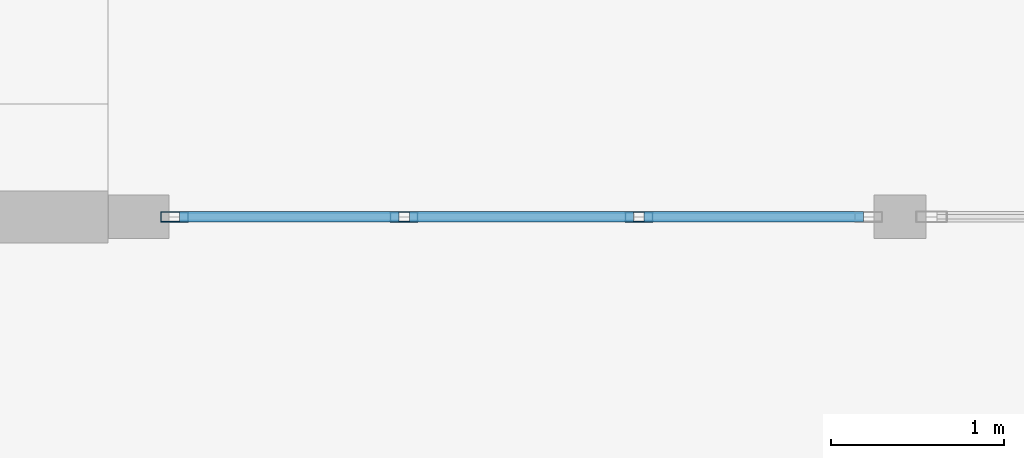
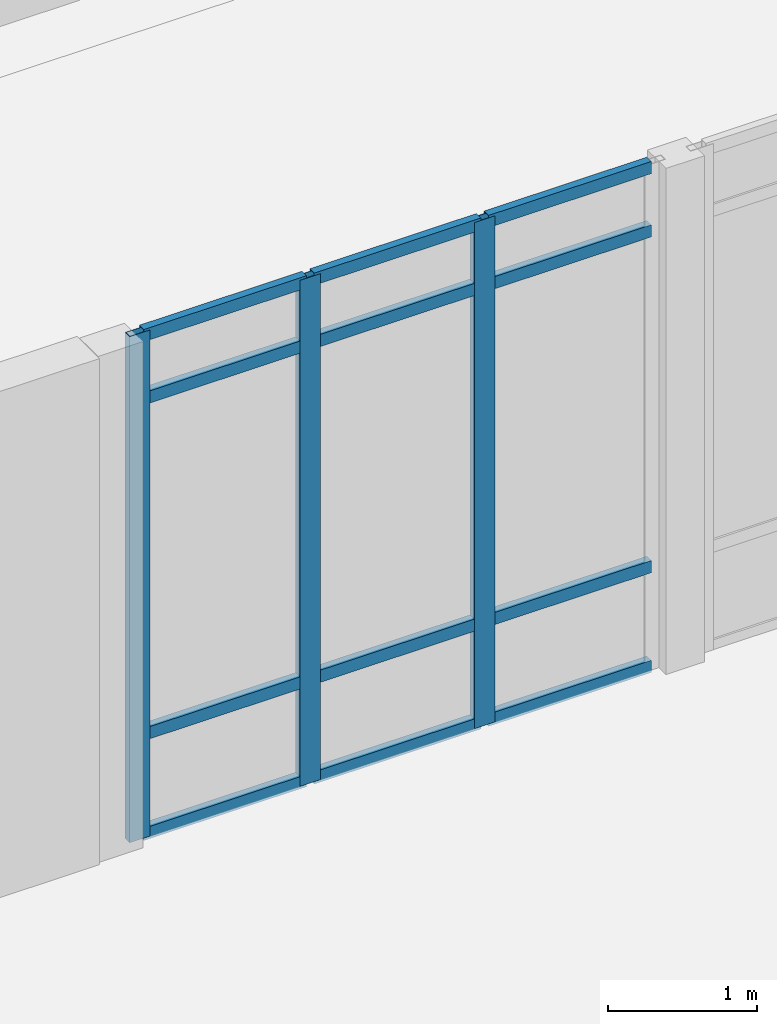
# One storey, part 12 of 55: 15 members, 1 element without a shape of its own.
"""IFC4 building model written with IfcOpenShell, lengths in metres."""

import ifcopenshell
import ifcopenshell.guid

model = None  # the IFC model being written
_history = None  # IfcOwnerHistory: only IFC2X3 demands one
_inside = {}  # id of a spatial element -> (the spatial element, [elements in it])
_under = {}  # id of a project, library or spatial element -> (it, [spatial elements below it])
_declared = {}  # id of a project -> (the project, [libraries it declares])
_typed = {}  # id of a type object -> (the type object, [elements of that type])
_made_of = {}  # id of a material, layer set ... -> (it, [elements and type objects made of it])


def new_model(schema):
    """Start an empty IFC model of exactly this schema.

    Asked for "IFC4X3", IfcOpenShell would pick the latest addendum, in which some entities
    have other attributes; the version numbers below select the first issue.
    IFC2X3 requires an IfcOwnerHistory on every rooted entity: one is made here for all.
    """
    global model, _history
    if schema == "IFC4X3":
        model = ifcopenshell.file(schema_version=(4, 3, 0, 0))
    else:
        model = ifcopenshell.file(schema=schema)
    _inside.clear()
    _under.clear()
    _declared.clear()
    _typed.clear()
    _made_of.clear()
    _history = None
    if model.schema == "IFC2X3":
        org = make("IfcOrganization", Name="unknown")
        user = make(
            "IfcPersonAndOrganization",
            ThePerson=make("IfcPerson", FamilyName="unknown"),
            TheOrganization=org,
        )
        app = make(
            "IfcApplication",
            ApplicationDeveloper=org,
            Version="unknown",
            ApplicationFullName="unknown",
            ApplicationIdentifier="unknown",
        )
        _history = make(
            "IfcOwnerHistory",
            OwningUser=user,
            OwningApplication=app,
            ChangeAction="ADDED",
            CreationDate=0,
        )
    return model


def make(cls, **values):
    """One entity of the class cls with the attributes given. An attribute that is None is left unset."""
    return model.create_entity(
        cls, **{name: value for name, value in values.items() if value is not None}
    )


def rooted(cls, **values):
    """An entity with a GlobalId (a new one), such as an element, a storey or a relation."""
    return make(cls, GlobalId=ifcopenshell.guid.new(), OwnerHistory=_history, **values)


def si_unit(unit_type, name, prefix=None):
    """IfcSIUnit, for example si_unit("LENGTHUNIT", "METRE", prefix="MILLI")."""
    return make("IfcSIUnit", UnitType=unit_type, Prefix=prefix, Name=name)


def assignment(units):
    """IfcUnitAssignment: the units of a project."""
    return None if units is None else make("IfcUnitAssignment", Units=units)


def point(xyz):
    """IfcCartesianPoint."""
    return None if xyz is None else make("IfcCartesianPoint", Coordinates=xyz)


def direction(xyz):
    """IfcDirection."""
    return None if xyz is None else make("IfcDirection", DirectionRatios=xyz)


def frame(location, z_axis=None, x_axis=None):
    """IfcAxis2Placement3D, a coordinate frame: its origin and axes. An axis left out is left unset."""
    return make(
        "IfcAxis2Placement3D",
        Location=point(location),
        Axis=direction(z_axis),
        RefDirection=direction(x_axis),
    )


def frame_2d(location, x_axis=None):
    """IfcAxis2Placement2D, a coordinate frame in the plane: its origin and x axis."""
    return make(
        "IfcAxis2Placement2D", Location=point(location), RefDirection=direction(x_axis)
    )


def origin():
    """The frame at (0, 0, 0) with its axes left unset."""
    return frame((0.0, 0.0, 0.0))


def origin_2d():
    """The frame at (0, 0) in the plane with its x axis left unset."""
    return frame_2d((0.0, 0.0))


def place(relative_to, where):
    """IfcLocalPlacement: puts the frame where relative to a parent placement (None: the world)."""
    return make(
        "IfcLocalPlacement", PlacementRelTo=relative_to, RelativePlacement=where
    )


def context(
    kind, dimensions, precision=None, world=None, true_north=None, identifier=None
):
    """IfcGeometricRepresentationContext, for example the 3D "Model" context."""
    return make(
        "IfcGeometricRepresentationContext",
        ContextIdentifier=identifier,
        ContextType=kind,
        CoordinateSpaceDimension=dimensions,
        Precision=precision,
        WorldCoordinateSystem=world,
        TrueNorth=true_north,
    )


def subcontext(parent, identifier, kind, view, scale=None):
    """IfcGeometricRepresentationSubContext, for example "Body" below "Model"."""
    return make(
        "IfcGeometricRepresentationSubContext",
        ContextIdentifier=identifier,
        ContextType=kind,
        ParentContext=parent,
        TargetScale=scale,
        TargetView=view,
    )


def project(units=None, contexts=None):
    """IfcProject with its units and contexts."""
    return rooted(
        "IfcProject",
        Name="project",
        RepresentationContexts=contexts,
        UnitsInContext=assignment(units),
    )


def spatial(cls, under=None, at=None, **own):
    """A site, building, storey or space (cls), placed at a placement, below another one or the project."""
    s = rooted(cls, ObjectPlacement=at, **own)
    if under is not None:
        _under.setdefault(under.id(), (under, []))[1].append(s)
    return s


def profile(cls, at=None, kind="AREA", **sizes):
    """A parametric profile (cls). Its sizes go by their IFC names, for example OverallWidth=200.0."""
    return make(cls, ProfileType=kind, Position=at, **sizes)


def hollow_rectangle(**sizes):
    """IfcRectangleHollowProfileDef."""
    return profile("IfcRectangleHollowProfileDef", **sizes)


def extrude(swept, where, along, depth):
    """IfcExtrudedAreaSolid: the profile swept, set in the frame where, extruded along a direction by depth."""
    return make(
        "IfcExtrudedAreaSolid",
        SweptArea=swept,
        Position=where,
        ExtrudedDirection=direction(along),
        Depth=depth,
    )


def shape(context_of_items, identifier, shape_type, items):
    """IfcShapeRepresentation: the items that make up one representation, for example the "Body"."""
    return make(
        "IfcShapeRepresentation",
        ContextOfItems=context_of_items,
        RepresentationIdentifier=identifier,
        RepresentationType=shape_type,
        Items=items,
    )


def material(Name=None, Category=None):
    """IfcMaterial."""
    return make("IfcMaterial", Name=Name, Category=Category)


def layer(
    of_material, thickness, ventilated=None, Name=None, Category=None, Priority=None
):
    """IfcMaterialLayer: one layer of a wall or slab, of a material (None: an air gap)."""
    return make(
        "IfcMaterialLayer",
        Material=of_material,
        LayerThickness=thickness,
        IsVentilated=ventilated,
        Name=Name,
        Category=Category,
        Priority=Priority,
    )


def layer_set(layers, Name=None):
    """IfcMaterialLayerSet."""
    return make("IfcMaterialLayerSet", MaterialLayers=layers, LayerSetName=Name)


def material_profile(
    of_material, cross_section, Name=None, Category=None, Priority=None
):
    """IfcMaterialProfile: a cross section and its material."""
    return make(
        "IfcMaterialProfile",
        Name=Name,
        Material=of_material,
        Profile=cross_section,
        Priority=Priority,
        Category=Category,
    )


def profile_set(profiles, Name=None, composite=None):
    """IfcMaterialProfileSet."""
    return make(
        "IfcMaterialProfileSet",
        Name=Name,
        MaterialProfiles=profiles,
        CompositeProfile=composite,
    )


def made_of(thing, what):
    """Note that an element or type object is made of a material, layer set ...; save() writes the relation."""
    if what is not None:
        _made_of.setdefault(what.id(), (what, []))[1].append(thing)
    return thing


def type_object(cls, material=None, **own):
    """A type object (cls), such as IfcWallType, which elements share."""
    return made_of(rooted(cls, **own), material)


def element(
    cls,
    number,
    at=None,
    inside=None,
    cuts=None,
    type_object=None,
    material=None,
    context=None,
    identifier="Body",
    shape_type=None,
    held_by="IfcProductDefinitionShape",
    body=None,
    shapes=None,
    **own,
):
    """One element of the class cls, such as IfcWall. Its Tag is "e" and its number.

    at: its placement. inside: the storey or other place that contains it. cuts: it is an
    opening in that element (IfcRelVoidsElement). A single representation is given by context,
    identifier, shape_type and body (its items); several are given by shapes. held_by: the class
    of the entity that holds the representations. save() writes the other relations.
    """
    e = rooted(cls, Tag="e%d" % number, ObjectPlacement=at, **own)
    if body is not None:
        shapes = [shape(context, identifier, shape_type, body)]
    if shapes is not None:
        e.Representation = make(held_by, Representations=shapes)
    if inside is not None:
        _inside.setdefault(inside.id(), (inside, []))[1].append(e)
    if cuts is not None:
        rooted(
            "IfcRelVoidsElement", RelatingBuildingElement=cuts, RelatedOpeningElement=e
        )
    if type_object is not None:
        _typed.setdefault(type_object.id(), (type_object, []))[1].append(e)
    return made_of(e, material)


def aggregate(whole, parts):
    """IfcRelAggregates: a whole, such as a stair, and the parts it consists of."""
    return rooted("IfcRelAggregates", RelatingObject=whole, RelatedObjects=parts)


def save(model, path):
    """Write the relations noted so far, then the file.

    IfcRelAggregates (storeys below a building ...), IfcRelContainedInSpatialStructure (elements
    in a storey), IfcRelDefinesByType, IfcRelAssociatesMaterial and IfcRelDeclares: one each for
    every whole, place, type object, material and project.
    """
    for whole, parts in _under.values():
        aggregate(whole, parts)
    for where, things in _inside.values():
        rooted(
            "IfcRelContainedInSpatialStructure",
            RelatedElements=things,
            RelatingStructure=where,
        )
    for kind, things in _typed.values():
        rooted("IfcRelDefinesByType", RelatedObjects=things, RelatingType=kind)
    for what, things in _made_of.values():
        rooted("IfcRelAssociatesMaterial", RelatedObjects=things, RelatingMaterial=what)
    for by, libraries in _declared.values():
        rooted("IfcRelDeclares", RelatingContext=by, RelatedDefinitions=libraries)
    model.write(path)


model = new_model("IFC4")

# Units and contexts
model_context = context("Model", 3, precision=1e-05, world=origin(), true_north=direction((0.0, 1.0)))
body_context = subcontext(model_context, "Body", "Model", "MODEL_VIEW")
ifc_project = project(units=[si_unit("LENGTHUNIT", "METRE"), si_unit("AREAUNIT", "SQUARE_METRE"), si_unit("VOLUMEUNIT", "CUBIC_METRE"), si_unit("PLANEANGLEUNIT", "RADIAN"), si_unit("MASSUNIT", "GRAM", prefix="KILO")], contexts=[model_context])

# Site, building, storey
site_placement = place(None, origin())
site = spatial("IfcSite", under=ifc_project, at=site_placement, CompositionType="ELEMENT")
building_placement = place(site_placement, origin())
building = spatial("IfcBuilding", under=site, at=building_placement, Name="Fikremerkos Civic Library", CompositionType="ELEMENT")
storey_placement = place(building_placement, frame((0.0, 0.0, 18.89990234375)))
storey = spatial("IfcBuildingStorey", under=building, at=storey_placement, Name="L04", CompositionType="ELEMENT", Elevation=18.89990234375)

# Curtain wall, members
ifc_material = material(Name="Anodized aluminium Frame", Category="aluminium")
ifc_layer = layer(ifc_material, 0.159912109375, Name="Anodized aluminium Frame")
ifc_layer_set = layer_set([ifc_layer], Name="Anodized aluminium Frame")
curtain_wall_type = type_object("IfcCurtainWallType", Name="Unitised curtain wall CW-06 4200x4100", PredefinedType="USERDEFINED", material=ifc_layer_set)
curtain_wall_placement = place(storey_placement, origin())
curtain_wall = element("IfcCurtainWall", 1, at=curtain_wall_placement, inside=storey, type_object=curtain_wall_type, Name="Unitised curtain wall CW-06 L04 #222", ObjectType="UNITISED CURTAIN WALL", PredefinedType="USERDEFINED")
ifc_material_profile_1 = material_profile(ifc_material, hollow_rectangle(XDim=0.06005859375, YDim=0.159912109375, WallThickness=0.00390625, at=origin_2d()), Name="ALU 160x60x4")
ifc_profile_set_1 = profile_set([ifc_material_profile_1], Name="Anodized aluminium Frame")
member_type_1 = type_object("IfcMemberType", Name="Curtain mullion CWM-02 ALU 160x60x4", PredefinedType="MULLION", material=ifc_profile_set_1)
member_1_placement = place(storey_placement, frame((62.76220703125, 8.800048828125, 0.0), z_axis=(0.0, 0.0, 1.0), x_axis=(0.0, -1.0, 0.0)))
member_1 = element("IfcMember", 2, at=member_1_placement, type_object=member_type_1, Name="CW-06 mullion 2", PredefinedType="MULLION", context=body_context, shape_type="SweptSolid", body=[
    extrude(hollow_rectangle(XDim=0.06005859375, YDim=0.159912109375, WallThickness=0.00390625, at=origin_2d()), origin(), (0.0, 0.0, 1.0), 4.16015625),
])
member_2_placement = place(storey_placement, frame((61.4072265625, 8.800048828125, 0.0), z_axis=(0.0, 0.0, 1.0), x_axis=(0.0, -1.0, 0.0)))
member_2 = element("IfcMember", 3, at=member_2_placement, type_object=member_type_1, Name="CW-06 mullion 3", PredefinedType="MULLION", context=body_context, shape_type="SweptSolid", body=[
    extrude(hollow_rectangle(XDim=0.06005859375, YDim=0.159912109375, WallThickness=0.00390625, at=origin_2d()), origin(), (0.0, 0.0, 1.0), 4.16015625),
])
member_3_placement = place(storey_placement, frame((60.08203125, 8.800048828125, 0.0), z_axis=(0.0, 0.0, 1.0), x_axis=(0.0, -1.0, 0.0)))
member_3 = element("IfcMember", 4, at=member_3_placement, type_object=member_type_1, Name="CW-06 mullion 4", PredefinedType="MULLION", context=body_context, shape_type="SweptSolid", body=[
    extrude(hollow_rectangle(XDim=0.06005859375, YDim=0.159912109375, WallThickness=0.00390625, at=origin_2d()), origin(), (0.0, 0.0, 1.0), 4.16015625),
])
ifc_material_profile_2 = material_profile(ifc_material, hollow_rectangle(XDim=0.06005859375, YDim=0.10009765625, WallThickness=0.00390625, at=origin_2d()), Name="ALU 100x60x4")
ifc_profile_set_2 = profile_set([ifc_material_profile_2], Name="Anodized aluminium Frame")
member_type_2 = type_object("IfcMemberType", Name="Curtain transom CWT-03 ALU 100x60x4", PredefinedType="USERDEFINED", material=ifc_profile_set_2)
member_4_placement = place(storey_placement, frame((64.057373046875, 8.800048828125, 0.030029296875), z_axis=(-1.0, 0.0, 0.0), x_axis=(0.0, -1.0, 0.0)))
member_4 = element("IfcMember", 5, at=member_4_placement, type_object=member_type_2, Name="CW-06 transom 1.1", ObjectType="TRANSOM", PredefinedType="USERDEFINED", context=body_context, shape_type="SweptSolid", body=[
    extrude(hollow_rectangle(XDim=0.06005859375, YDim=0.10009765625, WallThickness=0.00390625, at=origin_2d()), origin(), (0.0, 0.0, 1.0), 1.26513671875),
])
member_5_placement = place(storey_placement, frame((64.057373046875, 8.800048828125, 0.85009765625), z_axis=(-1.0, 0.0, 0.0), x_axis=(0.0, -1.0, 0.0)))
member_5 = element("IfcMember", 6, at=member_5_placement, type_object=member_type_2, Name="CW-06 transom 1.2", ObjectType="TRANSOM", PredefinedType="USERDEFINED", context=body_context, shape_type="SweptSolid", body=[
    extrude(hollow_rectangle(XDim=0.06005859375, YDim=0.10009765625, WallThickness=0.00390625, at=origin_2d()), origin(), (0.0, 0.0, 1.0), 1.26513671875),
])
member_6_placement = place(storey_placement, frame((64.057373046875, 8.800048828125, 3.610107421875), z_axis=(-1.0, 0.0, 0.0), x_axis=(0.0, -1.0, 0.0)))
member_6 = element("IfcMember", 7, at=member_6_placement, type_object=member_type_2, Name="CW-06 transom 1.3", ObjectType="TRANSOM", PredefinedType="USERDEFINED", context=body_context, shape_type="SweptSolid", body=[
    extrude(hollow_rectangle(XDim=0.06005859375, YDim=0.10009765625, WallThickness=0.00390625, at=origin_2d()), origin(), (0.0, 0.0, 1.0), 1.26513671875),
])
member_7_placement = place(storey_placement, frame((64.057373046875, 8.800048828125, 4.130126953125), z_axis=(-1.0, 0.0, 0.0), x_axis=(0.0, -1.0, 0.0)))
member_7 = element("IfcMember", 8, at=member_7_placement, type_object=member_type_2, Name="CW-06 transom 1.4", ObjectType="TRANSOM", PredefinedType="USERDEFINED", context=body_context, shape_type="SweptSolid", body=[
    extrude(hollow_rectangle(XDim=0.06005859375, YDim=0.10009765625, WallThickness=0.00390625, at=origin_2d()), origin(), (0.0, 0.0, 1.0), 1.26513671875),
])
member_8_placement = place(storey_placement, frame((62.732177734375, 8.800048828125, 0.030029296875), z_axis=(-1.0, 0.0, 0.0), x_axis=(0.0, -1.0, 0.0)))
member_8 = element("IfcMember", 9, at=member_8_placement, type_object=member_type_2, Name="CW-06 transom 2.1", ObjectType="TRANSOM", PredefinedType="USERDEFINED", context=body_context, shape_type="SweptSolid", body=[
    extrude(hollow_rectangle(XDim=0.06005859375, YDim=0.10009765625, WallThickness=0.00390625, at=origin_2d()), origin(), (0.0, 0.0, 1.0), 1.295166015625),
])
member_9_placement = place(storey_placement, frame((62.732177734375, 8.800048828125, 0.85009765625), z_axis=(-1.0, 0.0, 0.0), x_axis=(0.0, -1.0, 0.0)))
member_9 = element("IfcMember", 10, at=member_9_placement, type_object=member_type_2, Name="CW-06 transom 2.2", ObjectType="TRANSOM", PredefinedType="USERDEFINED", context=body_context, shape_type="SweptSolid", body=[
    extrude(hollow_rectangle(XDim=0.06005859375, YDim=0.10009765625, WallThickness=0.00390625, at=origin_2d()), origin(), (0.0, 0.0, 1.0), 1.295166015625),
])
member_10_placement = place(storey_placement, frame((62.732177734375, 8.800048828125, 3.610107421875), z_axis=(-1.0, 0.0, 0.0), x_axis=(0.0, -1.0, 0.0)))
member_10 = element("IfcMember", 11, at=member_10_placement, type_object=member_type_2, Name="CW-06 transom 2.3", ObjectType="TRANSOM", PredefinedType="USERDEFINED", context=body_context, shape_type="SweptSolid", body=[
    extrude(hollow_rectangle(XDim=0.06005859375, YDim=0.10009765625, WallThickness=0.00390625, at=origin_2d()), origin(), (0.0, 0.0, 1.0), 1.295166015625),
])
member_11_placement = place(storey_placement, frame((62.732177734375, 8.800048828125, 4.130126953125), z_axis=(-1.0, 0.0, 0.0), x_axis=(0.0, -1.0, 0.0)))
member_11 = element("IfcMember", 12, at=member_11_placement, type_object=member_type_2, Name="CW-06 transom 2.4", ObjectType="TRANSOM", PredefinedType="USERDEFINED", context=body_context, shape_type="SweptSolid", body=[
    extrude(hollow_rectangle(XDim=0.06005859375, YDim=0.10009765625, WallThickness=0.00390625, at=origin_2d()), origin(), (0.0, 0.0, 1.0), 1.295166015625),
])
member_12_placement = place(storey_placement, frame((61.377197265625, 8.800048828125, 0.030029296875), z_axis=(-1.0, 0.0, 0.0), x_axis=(0.0, -1.0, 0.0)))
member_12 = element("IfcMember", 13, at=member_12_placement, type_object=member_type_2, Name="CW-06 transom 3.1", ObjectType="TRANSOM", PredefinedType="USERDEFINED", context=body_context, shape_type="SweptSolid", body=[
    extrude(hollow_rectangle(XDim=0.06005859375, YDim=0.10009765625, WallThickness=0.00390625, at=origin_2d()), origin(), (0.0, 0.0, 1.0), 1.26513671875),
])
member_13_placement = place(storey_placement, frame((61.377197265625, 8.800048828125, 0.85009765625), z_axis=(-1.0, 0.0, 0.0), x_axis=(0.0, -1.0, 0.0)))
member_13 = element("IfcMember", 14, at=member_13_placement, type_object=member_type_2, Name="CW-06 transom 3.2", ObjectType="TRANSOM", PredefinedType="USERDEFINED", context=body_context, shape_type="SweptSolid", body=[
    extrude(hollow_rectangle(XDim=0.06005859375, YDim=0.10009765625, WallThickness=0.00390625, at=origin_2d()), origin(), (0.0, 0.0, 1.0), 1.26513671875),
])
member_14_placement = place(storey_placement, frame((61.377197265625, 8.800048828125, 3.610107421875), z_axis=(-1.0, 0.0, 0.0), x_axis=(0.0, -1.0, 0.0)))
member_14 = element("IfcMember", 15, at=member_14_placement, type_object=member_type_2, Name="CW-06 transom 3.3", ObjectType="TRANSOM", PredefinedType="USERDEFINED", context=body_context, shape_type="SweptSolid", body=[
    extrude(hollow_rectangle(XDim=0.06005859375, YDim=0.10009765625, WallThickness=0.00390625, at=origin_2d()), origin(), (0.0, 0.0, 1.0), 1.26513671875),
])
member_15_placement = place(storey_placement, frame((61.377197265625, 8.800048828125, 4.130126953125), z_axis=(-1.0, 0.0, 0.0), x_axis=(0.0, -1.0, 0.0)))
member_15 = element("IfcMember", 16, at=member_15_placement, type_object=member_type_2, Name="CW-06 transom 3.4", ObjectType="TRANSOM", PredefinedType="USERDEFINED", context=body_context, shape_type="SweptSolid", body=[
    extrude(hollow_rectangle(XDim=0.06005859375, YDim=0.10009765625, WallThickness=0.00390625, at=origin_2d()), origin(), (0.0, 0.0, 1.0), 1.26513671875),
])
aggregate(curtain_wall, [member_1, member_2, member_3, member_4, member_5, member_6, member_7, member_8, member_9, member_10, member_11, member_12, member_13, member_14, member_15])

save(model, "model.ifc")
